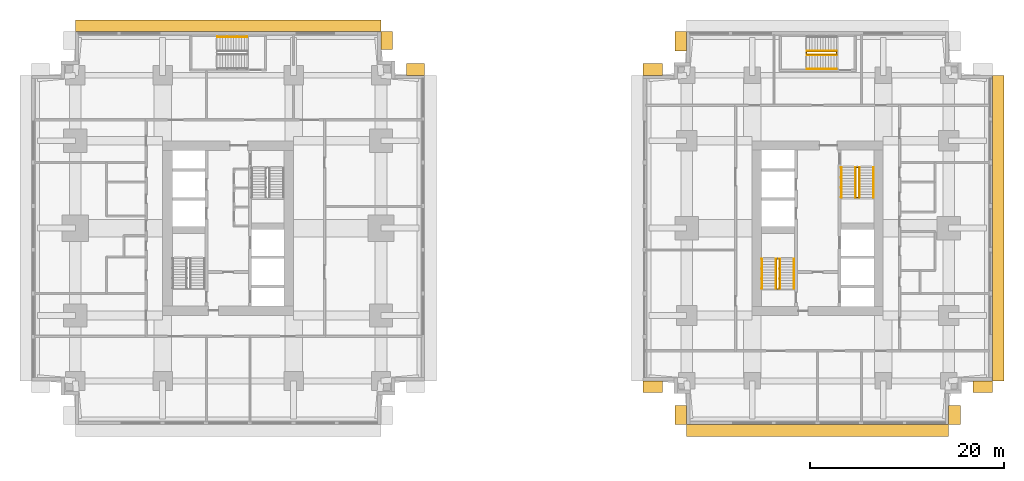
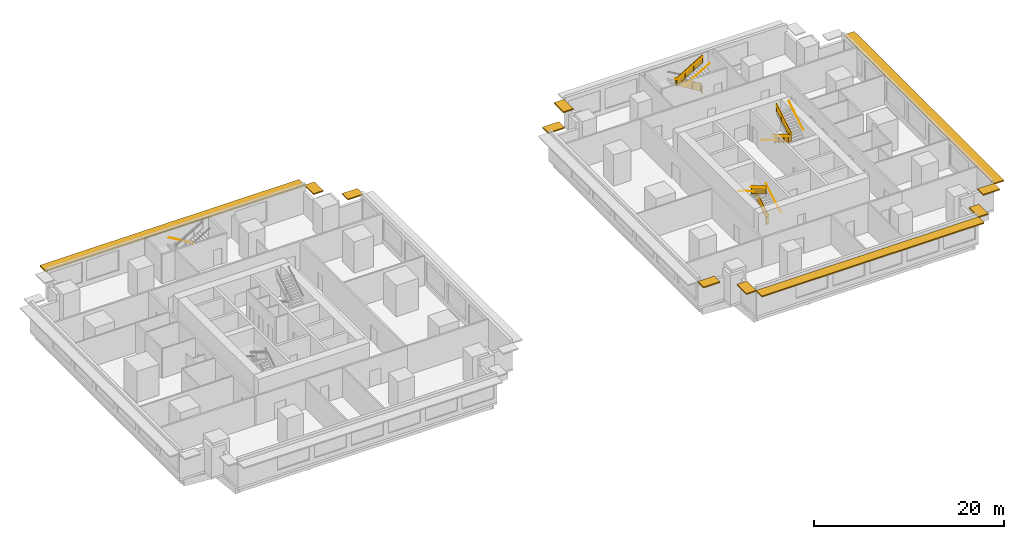
# One storey, part 10 of 11: 15 railings, 11 shading devices.
"""IFC4 building model written with IfcOpenShell, lengths in metres."""

import ifcopenshell
import ifcopenshell.guid

model = None  # the IFC model being written
_history = None  # IfcOwnerHistory: only IFC2X3 demands one
_inside = {}  # id of a spatial element -> (the spatial element, [elements in it])
_under = {}  # id of a project, library or spatial element -> (it, [spatial elements below it])
_declared = {}  # id of a project -> (the project, [libraries it declares])
_typed = {}  # id of a type object -> (the type object, [elements of that type])
_made_of = {}  # id of a material, layer set ... -> (it, [elements and type objects made of it])


def new_model(schema):
    """Start an empty IFC model of exactly this schema.

    Asked for "IFC4X3", IfcOpenShell would pick the latest addendum, in which some entities
    have other attributes; the version numbers below select the first issue.
    IFC2X3 requires an IfcOwnerHistory on every rooted entity: one is made here for all.
    """
    global model, _history
    if schema == "IFC4X3":
        model = ifcopenshell.file(schema_version=(4, 3, 0, 0))
    else:
        model = ifcopenshell.file(schema=schema)
    _inside.clear()
    _under.clear()
    _declared.clear()
    _typed.clear()
    _made_of.clear()
    _history = None
    if model.schema == "IFC2X3":
        org = make("IfcOrganization", Name="unknown")
        user = make(
            "IfcPersonAndOrganization",
            ThePerson=make("IfcPerson", FamilyName="unknown"),
            TheOrganization=org,
        )
        app = make(
            "IfcApplication",
            ApplicationDeveloper=org,
            Version="unknown",
            ApplicationFullName="unknown",
            ApplicationIdentifier="unknown",
        )
        _history = make(
            "IfcOwnerHistory",
            OwningUser=user,
            OwningApplication=app,
            ChangeAction="ADDED",
            CreationDate=0,
        )
    return model


def make(cls, **values):
    """One entity of the class cls with the attributes given. An attribute that is None is left unset."""
    return model.create_entity(
        cls, **{name: value for name, value in values.items() if value is not None}
    )


def rooted(cls, **values):
    """An entity with a GlobalId (a new one), such as an element, a storey or a relation."""
    return make(cls, GlobalId=ifcopenshell.guid.new(), OwnerHistory=_history, **values)


def si_unit(unit_type, name, prefix=None):
    """IfcSIUnit, for example si_unit("LENGTHUNIT", "METRE", prefix="MILLI")."""
    return make("IfcSIUnit", UnitType=unit_type, Prefix=prefix, Name=name)


def assignment(units):
    """IfcUnitAssignment: the units of a project."""
    return None if units is None else make("IfcUnitAssignment", Units=units)


def point(xyz):
    """IfcCartesianPoint."""
    return None if xyz is None else make("IfcCartesianPoint", Coordinates=xyz)


def direction(xyz):
    """IfcDirection."""
    return None if xyz is None else make("IfcDirection", DirectionRatios=xyz)


def frame(location, z_axis=None, x_axis=None):
    """IfcAxis2Placement3D, a coordinate frame: its origin and axes. An axis left out is left unset."""
    return make(
        "IfcAxis2Placement3D",
        Location=point(location),
        Axis=direction(z_axis),
        RefDirection=direction(x_axis),
    )


def frame_2d(location, x_axis=None):
    """IfcAxis2Placement2D, a coordinate frame in the plane: its origin and x axis."""
    return make(
        "IfcAxis2Placement2D", Location=point(location), RefDirection=direction(x_axis)
    )


def origin():
    """The frame at (0, 0, 0) with its axes left unset."""
    return frame((0.0, 0.0, 0.0))


def origin_2d():
    """The frame at (0, 0) in the plane with its x axis left unset."""
    return frame_2d((0.0, 0.0))


def place(relative_to, where):
    """IfcLocalPlacement: puts the frame where relative to a parent placement (None: the world)."""
    return make(
        "IfcLocalPlacement", PlacementRelTo=relative_to, RelativePlacement=where
    )


def context(
    kind, dimensions, precision=None, world=None, true_north=None, identifier=None
):
    """IfcGeometricRepresentationContext, for example the 3D "Model" context."""
    return make(
        "IfcGeometricRepresentationContext",
        ContextIdentifier=identifier,
        ContextType=kind,
        CoordinateSpaceDimension=dimensions,
        Precision=precision,
        WorldCoordinateSystem=world,
        TrueNorth=true_north,
    )


def subcontext(parent, identifier, kind, view, scale=None):
    """IfcGeometricRepresentationSubContext, for example "Body" below "Model"."""
    return make(
        "IfcGeometricRepresentationSubContext",
        ContextIdentifier=identifier,
        ContextType=kind,
        ParentContext=parent,
        TargetScale=scale,
        TargetView=view,
    )


def project(units=None, contexts=None):
    """IfcProject with its units and contexts."""
    return rooted(
        "IfcProject",
        Name="project",
        RepresentationContexts=contexts,
        UnitsInContext=assignment(units),
    )


def spatial(cls, under=None, at=None, **own):
    """A site, building, storey or space (cls), placed at a placement, below another one or the project."""
    s = rooted(cls, ObjectPlacement=at, **own)
    if under is not None:
        _under.setdefault(under.id(), (under, []))[1].append(s)
    return s


def polyline(points):
    """IfcPolyline through the points."""
    return make("IfcPolyline", Points=[point(p) for p in points])


def profile(cls, at=None, kind="AREA", **sizes):
    """A parametric profile (cls). Its sizes go by their IFC names, for example OverallWidth=200.0."""
    return make(cls, ProfileType=kind, Position=at, **sizes)


def rectangle(**sizes):
    """IfcRectangleProfileDef."""
    return profile("IfcRectangleProfileDef", **sizes)


def circle(**sizes):
    """IfcCircleProfileDef."""
    return profile("IfcCircleProfileDef", **sizes)


def outline(outer, holes=None, kind="AREA"):
    """IfcArbitraryClosedProfileDef: a profile drawn as a closed curve; with holes, ...WithVoids."""
    if holes is None:
        return make("IfcArbitraryClosedProfileDef", ProfileType=kind, OuterCurve=outer)
    return make(
        "IfcArbitraryProfileDefWithVoids",
        ProfileType=kind,
        OuterCurve=outer,
        InnerCurves=holes,
    )


def extrude(swept, where, along, depth):
    """IfcExtrudedAreaSolid: the profile swept, set in the frame where, extruded along a direction by depth."""
    return make(
        "IfcExtrudedAreaSolid",
        SweptArea=swept,
        Position=where,
        ExtrudedDirection=direction(along),
        Depth=depth,
    )


def shape(context_of_items, identifier, shape_type, items):
    """IfcShapeRepresentation: the items that make up one representation, for example the "Body"."""
    return make(
        "IfcShapeRepresentation",
        ContextOfItems=context_of_items,
        RepresentationIdentifier=identifier,
        RepresentationType=shape_type,
        Items=items,
    )


def material(Name=None, Category=None):
    """IfcMaterial."""
    return make("IfcMaterial", Name=Name, Category=Category)


def layer(
    of_material, thickness, ventilated=None, Name=None, Category=None, Priority=None
):
    """IfcMaterialLayer: one layer of a wall or slab, of a material (None: an air gap)."""
    return make(
        "IfcMaterialLayer",
        Material=of_material,
        LayerThickness=thickness,
        IsVentilated=ventilated,
        Name=Name,
        Category=Category,
        Priority=Priority,
    )


def layer_set(layers, Name=None):
    """IfcMaterialLayerSet."""
    return make("IfcMaterialLayerSet", MaterialLayers=layers, LayerSetName=Name)


def made_of(thing, what):
    """Note that an element or type object is made of a material, layer set ...; save() writes the relation."""
    if what is not None:
        _made_of.setdefault(what.id(), (what, []))[1].append(thing)
    return thing


def type_object(cls, material=None, **own):
    """A type object (cls), such as IfcWallType, which elements share."""
    return made_of(rooted(cls, **own), material)


def element(
    cls,
    number,
    at=None,
    inside=None,
    cuts=None,
    type_object=None,
    material=None,
    context=None,
    identifier="Body",
    shape_type=None,
    held_by="IfcProductDefinitionShape",
    body=None,
    shapes=None,
    **own,
):
    """One element of the class cls, such as IfcWall. Its Tag is "e" and its number.

    at: its placement. inside: the storey or other place that contains it. cuts: it is an
    opening in that element (IfcRelVoidsElement). A single representation is given by context,
    identifier, shape_type and body (its items); several are given by shapes. held_by: the class
    of the entity that holds the representations. save() writes the other relations.
    """
    e = rooted(cls, Tag="e%d" % number, ObjectPlacement=at, **own)
    if body is not None:
        shapes = [shape(context, identifier, shape_type, body)]
    if shapes is not None:
        e.Representation = make(held_by, Representations=shapes)
    if inside is not None:
        _inside.setdefault(inside.id(), (inside, []))[1].append(e)
    if cuts is not None:
        rooted(
            "IfcRelVoidsElement", RelatingBuildingElement=cuts, RelatedOpeningElement=e
        )
    if type_object is not None:
        _typed.setdefault(type_object.id(), (type_object, []))[1].append(e)
    return made_of(e, material)


def aggregate(whole, parts):
    """IfcRelAggregates: a whole, such as a stair, and the parts it consists of."""
    return rooted("IfcRelAggregates", RelatingObject=whole, RelatedObjects=parts)


def save(model, path):
    """Write the relations noted so far, then the file.

    IfcRelAggregates (storeys below a building ...), IfcRelContainedInSpatialStructure (elements
    in a storey), IfcRelDefinesByType, IfcRelAssociatesMaterial and IfcRelDeclares: one each for
    every whole, place, type object, material and project.
    """
    for whole, parts in _under.values():
        aggregate(whole, parts)
    for where, things in _inside.values():
        rooted(
            "IfcRelContainedInSpatialStructure",
            RelatedElements=things,
            RelatingStructure=where,
        )
    for kind, things in _typed.values():
        rooted("IfcRelDefinesByType", RelatedObjects=things, RelatingType=kind)
    for what, things in _made_of.values():
        rooted("IfcRelAssociatesMaterial", RelatedObjects=things, RelatingMaterial=what)
    for by, libraries in _declared.values():
        rooted("IfcRelDeclares", RelatingContext=by, RelatedDefinitions=libraries)
    model.write(path)


model = new_model("IFC4")

# Units and contexts
model_context = context("Model", 3, precision=1e-05, world=origin(), true_north=direction((0.0, 1.0)))
body_context = subcontext(model_context, "Body", "Model", "MODEL_VIEW")
ifc_project = project(units=[si_unit("LENGTHUNIT", "METRE"), si_unit("AREAUNIT", "SQUARE_METRE"), si_unit("VOLUMEUNIT", "CUBIC_METRE"), si_unit("PLANEANGLEUNIT", "RADIAN"), si_unit("MASSUNIT", "GRAM", prefix="KILO")], contexts=[model_context])

# Site, building, storey
site_placement = place(None, origin())
site = spatial("IfcSite", under=ifc_project, at=site_placement, CompositionType="ELEMENT")
building_placement = place(site_placement, origin())
building = spatial("IfcBuilding", under=site, at=building_placement, Name="Namib Vertical Campus", CompositionType="ELEMENT")
storey_placement = place(building_placement, frame((0.0, 0.0, 65.0)))
storey = spatial("IfcBuildingStorey", under=building, at=storey_placement, Name="L15", CompositionType="ELEMENT", Elevation=65.0)

# Railings
ifc_material_1 = material(Name="Steel handrail", Category="steel")
railing_type_1 = type_object("IfcRailingType", Name="Handrail 900", PredefinedType="HANDRAIL", material=ifc_material_1)
railing_1_placement = place(storey_placement, frame((78.550048828125, 14.0, 0.166748046875)))
element("IfcRailing", 1, at=railing_1_placement, inside=storey, type_object=railing_type_1, Name="Handrail HR1 B-S1 L15 1", PredefinedType="HANDRAIL", context=body_context, shape_type="SweptSolid", body=[
    extrude(circle(Radius=0.02392578125, at=origin_2d()), frame((0.0, 0.0, 0.8759765625), z_axis=(0.0, 0.859308565015, 0.511457515432), x_axis=(-1.0, 0.0, 0.0)), (0.0, 0.0, 1.0), 3.58447265625),
    extrude(circle(Radius=0.008056640625, at=origin_2d()), frame((0.0, 0.0, 0.8759765625), z_axis=(1.0, 0.0, 0.0), x_axis=(0.0, 0.0, 1.0)), (0.0, 0.0, 1.0), 0.050048828125),
    extrude(circle(Radius=0.008056640625, at=origin_2d()), frame((0.0, 1.026611328125, 1.48681640625), z_axis=(1.0, 0.0, 0.0), x_axis=(0.0, 0.0, 1.0)), (0.0, 0.0, 1.0), 0.050048828125),
    extrude(circle(Radius=0.008056640625, at=origin_2d()), frame((0.0, 2.053466796875, 2.09814453125), z_axis=(1.0, 0.0, 0.0), x_axis=(0.0, 0.0, 1.0)), (0.0, 0.0, 1.0), 0.050048828125),
    extrude(circle(Radius=0.008056640625, at=origin_2d()), frame((0.0, 3.080078125, 2.708984375), z_axis=(1.0, 0.0, 0.0), x_axis=(0.0, 0.0, 1.0)), (0.0, 0.0, 1.0), 0.050048828125),
])
railing_2_placement = place(storey_placement, frame((75.25, 17.080078125, 2.166748046875)))
element("IfcRailing", 2, at=railing_2_placement, inside=storey, type_object=railing_type_1, Name="Handrail HR1 B-S1 L15 2", PredefinedType="HANDRAIL", context=body_context, shape_type="SweptSolid", body=[
    extrude(circle(Radius=0.02392578125, at=origin_2d()), frame((0.0, 0.0, 0.8759765625), z_axis=(0.0, -0.859308565015, 0.511457515432), x_axis=(1.0, 0.0, 0.0)), (0.0, 0.0, 1.0), 3.58447265625),
    extrude(circle(Radius=0.008056640625, at=origin_2d()), frame((0.0, 0.0, 0.8759765625), z_axis=(-1.0, 0.0, 0.0), x_axis=(0.0, 0.0, 1.0)), (0.0, 0.0, 1.0), 0.050048828125),
    extrude(circle(Radius=0.008056640625, at=origin_2d()), frame((0.0, -1.026611328125, 1.48681640625), z_axis=(-1.0, 0.0, 0.0), x_axis=(0.0, 0.0, 1.0)), (0.0, 0.0, 1.0), 0.050048828125),
    extrude(circle(Radius=0.008056640625, at=origin_2d()), frame((0.0, -2.053466796875, 2.09814453125), z_axis=(-1.0, 0.0, 0.0), x_axis=(0.0, 0.0, 1.0)), (0.0, 0.0, 1.0), 0.050048828125),
    extrude(circle(Radius=0.008056640625, at=origin_2d()), frame((0.0, -3.080078125, 2.708984375), z_axis=(-1.0, 0.0, 0.0), x_axis=(0.0, 0.0, 1.0)), (0.0, 0.0, 1.0), 0.050048828125),
])
railing_3_placement = place(storey_placement, frame((77.10009765625, 14.0, 0.166748046875)))
element("IfcRailing", 3, at=railing_3_placement, inside=storey, type_object=railing_type_1, Name="Handrail HR1 B-S1 L15 1 at the well", PredefinedType="HANDRAIL", context=body_context, shape_type="SweptSolid", body=[
    extrude(circle(Radius=0.02392578125, at=origin_2d()), frame((0.0, 0.0, 0.8759765625), z_axis=(0.0, 0.859308565015, 0.511457515432), x_axis=(-1.0, 0.0, 0.0)), (0.0, 0.0, 1.0), 3.58447265625),
    extrude(circle(Radius=0.008056640625, at=origin_2d()), frame((0.0, 0.0, 0.8759765625), z_axis=(-1.0, 0.0, 0.0), x_axis=(0.0, 0.0, 1.0)), (0.0, 0.0, 1.0), 0.0400390625),
    extrude(circle(Radius=0.008056640625, at=origin_2d()), frame((0.0, 1.026611328125, 1.48681640625), z_axis=(-1.0, 0.0, 0.0), x_axis=(0.0, 0.0, 1.0)), (0.0, 0.0, 1.0), 0.0400390625),
    extrude(circle(Radius=0.008056640625, at=origin_2d()), frame((0.0, 2.053466796875, 2.09814453125), z_axis=(-1.0, 0.0, 0.0), x_axis=(0.0, 0.0, 1.0)), (0.0, 0.0, 1.0), 0.0400390625),
    extrude(circle(Radius=0.008056640625, at=origin_2d()), frame((0.0, 3.080078125, 2.708984375), z_axis=(-1.0, 0.0, 0.0), x_axis=(0.0, 0.0, 1.0)), (0.0, 0.0, 1.0), 0.0400390625),
])
railing_4_placement = place(storey_placement, frame((76.699951171875, 17.080078125, 2.166748046875)))
element("IfcRailing", 4, at=railing_4_placement, inside=storey, type_object=railing_type_1, Name="Handrail HR1 B-S1 L15 2 at the well", PredefinedType="HANDRAIL", context=body_context, shape_type="SweptSolid", body=[
    extrude(circle(Radius=0.02392578125, at=origin_2d()), frame((0.0, 0.0, 0.8759765625), z_axis=(0.0, -0.859308565015, 0.511457515432), x_axis=(1.0, 0.0, 0.0)), (0.0, 0.0, 1.0), 3.58447265625),
    extrude(circle(Radius=0.008056640625, at=origin_2d()), frame((0.0, 0.0, 0.8759765625), z_axis=(1.0, 0.0, 0.0), x_axis=(0.0, 0.0, 1.0)), (0.0, 0.0, 1.0), 0.0400390625),
    extrude(circle(Radius=0.008056640625, at=origin_2d()), frame((0.0, -1.026611328125, 1.48681640625), z_axis=(1.0, 0.0, 0.0), x_axis=(0.0, 0.0, 1.0)), (0.0, 0.0, 1.0), 0.0400390625),
    extrude(circle(Radius=0.008056640625, at=origin_2d()), frame((0.0, -2.053466796875, 2.09814453125), z_axis=(1.0, 0.0, 0.0), x_axis=(0.0, 0.0, 1.0)), (0.0, 0.0, 1.0), 0.0400390625),
    extrude(circle(Radius=0.008056640625, at=origin_2d()), frame((0.0, -3.080078125, 2.708984375), z_axis=(1.0, 0.0, 0.0), x_axis=(0.0, 0.0, 1.0)), (0.0, 0.0, 1.0), 0.0400390625),
])
railing_5_placement = place(storey_placement, frame((83.449951171875, 26.5, 0.166748046875)))
element("IfcRailing", 5, at=railing_5_placement, inside=storey, type_object=railing_type_1, Name="Handrail HR1 B-S2 L15 1", PredefinedType="HANDRAIL", context=body_context, shape_type="SweptSolid", body=[
    extrude(circle(Radius=0.02392578125, at=origin_2d()), frame((0.0, 0.0, 0.8759765625), z_axis=(0.0, -0.859308565015, 0.511457515432), x_axis=(1.0, 0.0, 0.0)), (0.0, 0.0, 1.0), 3.58447265625),
    extrude(circle(Radius=0.008056640625, at=origin_2d()), frame((0.0, 0.0, 0.8759765625), z_axis=(-1.0, 0.0, 0.0), x_axis=(0.0, 0.0, 1.0)), (0.0, 0.0, 1.0), 0.050048828125),
    extrude(circle(Radius=0.008056640625, at=origin_2d()), frame((0.0, -1.026611328125, 1.48681640625), z_axis=(-1.0, 0.0, 0.0), x_axis=(0.0, 0.0, 1.0)), (0.0, 0.0, 1.0), 0.050048828125),
    extrude(circle(Radius=0.008056640625, at=origin_2d()), frame((0.0, -2.053466796875, 2.09814453125), z_axis=(-1.0, 0.0, 0.0), x_axis=(0.0, 0.0, 1.0)), (0.0, 0.0, 1.0), 0.050048828125),
    extrude(circle(Radius=0.008056640625, at=origin_2d()), frame((0.0, -3.080078125, 2.708984375), z_axis=(-1.0, 0.0, 0.0), x_axis=(0.0, 0.0, 1.0)), (0.0, 0.0, 1.0), 0.050048828125),
])
railing_6_placement = place(storey_placement, frame((86.75, 23.419921875, 2.166748046875)))
element("IfcRailing", 6, at=railing_6_placement, inside=storey, type_object=railing_type_1, Name="Handrail HR1 B-S2 L15 2", PredefinedType="HANDRAIL", context=body_context, shape_type="SweptSolid", body=[
    extrude(circle(Radius=0.02392578125, at=origin_2d()), frame((0.0, 0.0, 0.8759765625), z_axis=(0.0, 0.859308565015, 0.511457515432), x_axis=(-1.0, 0.0, 0.0)), (0.0, 0.0, 1.0), 3.58447265625),
    extrude(circle(Radius=0.008056640625, at=origin_2d()), frame((0.0, 0.0, 0.8759765625), z_axis=(1.0, 0.0, 0.0), x_axis=(0.0, 0.0, 1.0)), (0.0, 0.0, 1.0), 0.050048828125),
    extrude(circle(Radius=0.008056640625, at=origin_2d()), frame((0.0, 1.026611328125, 1.48681640625), z_axis=(1.0, 0.0, 0.0), x_axis=(0.0, 0.0, 1.0)), (0.0, 0.0, 1.0), 0.050048828125),
    extrude(circle(Radius=0.008056640625, at=origin_2d()), frame((0.0, 2.053466796875, 2.09814453125), z_axis=(1.0, 0.0, 0.0), x_axis=(0.0, 0.0, 1.0)), (0.0, 0.0, 1.0), 0.050048828125),
    extrude(circle(Radius=0.008056640625, at=origin_2d()), frame((0.0, 3.080078125, 2.708984375), z_axis=(1.0, 0.0, 0.0), x_axis=(0.0, 0.0, 1.0)), (0.0, 0.0, 1.0), 0.050048828125),
])
railing_7_placement = place(storey_placement, frame((84.89990234375, 26.5, 0.166748046875)))
element("IfcRailing", 7, at=railing_7_placement, inside=storey, type_object=railing_type_1, Name="Handrail HR1 B-S2 L15 1 at the well", PredefinedType="HANDRAIL", context=body_context, shape_type="SweptSolid", body=[
    extrude(circle(Radius=0.02392578125, at=origin_2d()), frame((0.0, 0.0, 0.8759765625), z_axis=(0.0, -0.859308565015, 0.511457515432), x_axis=(1.0, 0.0, 0.0)), (0.0, 0.0, 1.0), 3.58447265625),
    extrude(circle(Radius=0.008056640625, at=origin_2d()), frame((0.0, 0.0, 0.8759765625), z_axis=(1.0, 0.0, 0.0), x_axis=(0.0, 0.0, 1.0)), (0.0, 0.0, 1.0), 0.0400390625),
    extrude(circle(Radius=0.008056640625, at=origin_2d()), frame((0.0, -1.026611328125, 1.48681640625), z_axis=(1.0, 0.0, 0.0), x_axis=(0.0, 0.0, 1.0)), (0.0, 0.0, 1.0), 0.0400390625),
    extrude(circle(Radius=0.008056640625, at=origin_2d()), frame((0.0, -2.053466796875, 2.09814453125), z_axis=(1.0, 0.0, 0.0), x_axis=(0.0, 0.0, 1.0)), (0.0, 0.0, 1.0), 0.0400390625),
    extrude(circle(Radius=0.008056640625, at=origin_2d()), frame((0.0, -3.080078125, 2.708984375), z_axis=(1.0, 0.0, 0.0), x_axis=(0.0, 0.0, 1.0)), (0.0, 0.0, 1.0), 0.0400390625),
])
railing_8_placement = place(storey_placement, frame((85.300048828125, 23.419921875, 2.166748046875)))
element("IfcRailing", 8, at=railing_8_placement, inside=storey, type_object=railing_type_1, Name="Handrail HR1 B-S2 L15 2 at the well", PredefinedType="HANDRAIL", context=body_context, shape_type="SweptSolid", body=[
    extrude(circle(Radius=0.02392578125, at=origin_2d()), frame((0.0, 0.0, 0.8759765625), z_axis=(0.0, 0.859308565015, 0.511457515432), x_axis=(-1.0, 0.0, 0.0)), (0.0, 0.0, 1.0), 3.58447265625),
    extrude(circle(Radius=0.008056640625, at=origin_2d()), frame((0.0, 0.0, 0.8759765625), z_axis=(-1.0, 0.0, 0.0), x_axis=(0.0, 0.0, 1.0)), (0.0, 0.0, 1.0), 0.0400390625),
    extrude(circle(Radius=0.008056640625, at=origin_2d()), frame((0.0, 1.026611328125, 1.48681640625), z_axis=(-1.0, 0.0, 0.0), x_axis=(0.0, 0.0, 1.0)), (0.0, 0.0, 1.0), 0.0400390625),
    extrude(circle(Radius=0.008056640625, at=origin_2d()), frame((0.0, 2.053466796875, 2.09814453125), z_axis=(-1.0, 0.0, 0.0), x_axis=(0.0, 0.0, 1.0)), (0.0, 0.0, 1.0), 0.0400390625),
    extrude(circle(Radius=0.008056640625, at=origin_2d()), frame((0.0, 3.080078125, 2.708984375), z_axis=(-1.0, 0.0, 0.0), x_axis=(0.0, 0.0, 1.0)), (0.0, 0.0, 1.0), 0.0400390625),
])
railing_9_placement = place(storey_placement, frame((22.199951171875, 39.949951171875, 0.166748046875)))
element("IfcRailing", 9, at=railing_9_placement, inside=storey, type_object=railing_type_1, Name="Handrail HR1 A-S3 L15 1", PredefinedType="HANDRAIL", context=body_context, shape_type="SweptSolid", body=[
    extrude(circle(Radius=0.02392578125, at=origin_2d()), frame((0.0, 0.0, 0.8759765625), z_axis=(-0.859290745958, 0.0, 0.51148745235), x_axis=(0.0, -1.0, 0.0)), (0.0, 0.0, 1.0), 3.584228515625),
    extrude(circle(Radius=0.008056640625, at=origin_2d()), frame((0.0, 0.0, 0.8759765625), z_axis=(0.0, 1.0, 0.0), x_axis=(0.0, 0.0, 1.0)), (0.0, 0.0, 1.0), 0.050048828125),
    extrude(circle(Radius=0.008056640625, at=origin_2d()), frame((-1.026611328125, 0.0, 1.48681640625), z_axis=(0.0, 1.0, 0.0), x_axis=(0.0, 0.0, 1.0)), (0.0, 0.0, 1.0), 0.050048828125),
    extrude(circle(Radius=0.008056640625, at=origin_2d()), frame((-2.05322265625, 0.0, 2.09814453125), z_axis=(0.0, 1.0, 0.0), x_axis=(0.0, 0.0, 1.0)), (0.0, 0.0, 1.0), 0.050048828125),
    extrude(circle(Radius=0.008056640625, at=origin_2d()), frame((-3.079833984375, 0.0, 2.708984375), z_axis=(0.0, 1.0, 0.0), x_axis=(0.0, 0.0, 1.0)), (0.0, 0.0, 1.0), 0.050048828125),
])
railing_10_placement = place(storey_placement, frame((79.8701171875, 36.64990234375, 2.166748046875)))
element("IfcRailing", 10, at=railing_10_placement, inside=storey, type_object=railing_type_1, Name="Handrail HR1 B-S3 L15 2", PredefinedType="HANDRAIL", context=body_context, shape_type="SweptSolid", body=[
    extrude(circle(Radius=0.02392578125, at=origin_2d()), frame((0.0, 0.0, 0.8759765625), z_axis=(0.859290745958, 0.0, 0.51148745235), x_axis=(0.0, 1.0, 0.0)), (0.0, 0.0, 1.0), 3.584228515625),
    extrude(circle(Radius=0.008056640625, at=origin_2d()), frame((0.0, 0.0, 0.8759765625), z_axis=(0.0, -1.0, 0.0), x_axis=(0.0, 0.0, 1.0)), (0.0, 0.0, 1.0), 0.050048828125),
    extrude(circle(Radius=0.008056640625, at=origin_2d()), frame((1.026611328125, 0.0, 1.48681640625), z_axis=(0.0, -1.0, 0.0), x_axis=(0.0, 0.0, 1.0)), (0.0, 0.0, 1.0), 0.050048828125),
    extrude(circle(Radius=0.008056640625, at=origin_2d()), frame((2.05322265625, 0.0, 2.09814453125), z_axis=(0.0, -1.0, 0.0), x_axis=(0.0, 0.0, 1.0)), (0.0, 0.0, 1.0), 0.050048828125),
    extrude(circle(Radius=0.008056640625, at=origin_2d()), frame((3.079833984375, 0.0, 2.708984375), z_axis=(0.0, -1.0, 0.0), x_axis=(0.0, 0.0, 1.0)), (0.0, 0.0, 1.0), 0.050048828125),
])
railing_11_placement = place(storey_placement, frame((82.949951171875, 38.5, 0.166748046875)))
element("IfcRailing", 11, at=railing_11_placement, inside=storey, type_object=railing_type_1, Name="Handrail HR1 B-S3 L15 1 at the well", PredefinedType="HANDRAIL", context=body_context, shape_type="SweptSolid", body=[
    extrude(circle(Radius=0.02392578125, at=origin_2d()), frame((0.0, 0.0, 0.8759765625), z_axis=(-0.859290745958, 0.0, 0.51148745235), x_axis=(0.0, -1.0, 0.0)), (0.0, 0.0, 1.0), 3.584228515625),
    extrude(circle(Radius=0.008056640625, at=origin_2d()), frame((0.0, 0.0, 0.8759765625), z_axis=(0.0, -1.0, 0.0), x_axis=(0.0, 0.0, 1.0)), (0.0, 0.0, 1.0), 0.0400390625),
    extrude(circle(Radius=0.008056640625, at=origin_2d()), frame((-1.026611328125, 0.0, 1.48681640625), z_axis=(0.0, -1.0, 0.0), x_axis=(0.0, 0.0, 1.0)), (0.0, 0.0, 1.0), 0.0400390625),
    extrude(circle(Radius=0.008056640625, at=origin_2d()), frame((-2.05322265625, 0.0, 2.09814453125), z_axis=(0.0, -1.0, 0.0), x_axis=(0.0, 0.0, 1.0)), (0.0, 0.0, 1.0), 0.0400390625),
    extrude(circle(Radius=0.008056640625, at=origin_2d()), frame((-3.079833984375, 0.0, 2.708984375), z_axis=(0.0, -1.0, 0.0), x_axis=(0.0, 0.0, 1.0)), (0.0, 0.0, 1.0), 0.0400390625),
])
railing_12_placement = place(storey_placement, frame((79.8701171875, 38.10009765625, 2.166748046875)))
element("IfcRailing", 12, at=railing_12_placement, inside=storey, type_object=railing_type_1, Name="Handrail HR1 B-S3 L15 2 at the well", PredefinedType="HANDRAIL", context=body_context, shape_type="SweptSolid", body=[
    extrude(circle(Radius=0.02392578125, at=origin_2d()), frame((0.0, 0.0, 0.8759765625), z_axis=(0.859290745958, 0.0, 0.51148745235), x_axis=(0.0, 1.0, 0.0)), (0.0, 0.0, 1.0), 3.584228515625),
    extrude(circle(Radius=0.008056640625, at=origin_2d()), frame((0.0, 0.0, 0.8759765625), z_axis=(0.0, 1.0, 0.0), x_axis=(0.0, 0.0, 1.0)), (0.0, 0.0, 1.0), 0.0400390625),
    extrude(circle(Radius=0.008056640625, at=origin_2d()), frame((1.026611328125, 0.0, 1.48681640625), z_axis=(0.0, 1.0, 0.0), x_axis=(0.0, 0.0, 1.0)), (0.0, 0.0, 1.0), 0.0400390625),
    extrude(circle(Radius=0.008056640625, at=origin_2d()), frame((2.05322265625, 0.0, 2.09814453125), z_axis=(0.0, 1.0, 0.0), x_axis=(0.0, 0.0, 1.0)), (0.0, 0.0, 1.0), 0.0400390625),
    extrude(circle(Radius=0.008056640625, at=origin_2d()), frame((3.079833984375, 0.0, 2.708984375), z_axis=(0.0, 1.0, 0.0), x_axis=(0.0, 0.0, 1.0)), (0.0, 0.0, 1.0), 0.0400390625),
])
ifc_material_2 = material(Name="Steel balustrade", Category="steel")
railing_type_2 = type_object("IfcRailingType", Name="Stair guard 1100", PredefinedType="GUARDRAIL", material=ifc_material_2)
railing_13_placement = place(storey_placement, frame((76.75, 14.0, 0.0)))
element("IfcRailing", 13, at=railing_13_placement, inside=storey, type_object=railing_type_2, Name="Stair guard GR1 B-S1 L15", PredefinedType="GUARDRAIL", context=body_context, shape_type="SweptSolid", body=[
    extrude(circle(Radius=0.02392578125, at=origin_2d()), frame((0.0, 0.0, 1.076171875), z_axis=(1.0, 0.0, 0.0), x_axis=(0.0, 1.0, 0.0)), (0.0, 0.0, 1.0), 0.300048828125),
    extrude(outline(polyline([(0.02099609375, 0.050048828125), (0.279052734375, 0.050048828125), (0.279052734375, 1.052001953125), (0.02099609375, 1.052001953125), (0.02099609375, 0.050048828125)])), frame((0.0, 0.010009765625, 0.0), z_axis=(0.0, -1.0, 0.0), x_axis=(1.0, 0.0, 0.0)), (0.0, 0.0, 1.0), 0.02001953125),
    extrude(circle(Radius=0.02392578125, at=origin_2d()), frame((0.300048828125, 0.0, 1.076171875), z_axis=(0.0, 0.0, 1.0), x_axis=(1.0, 0.0, 0.0)), (0.0, 0.0, 1.0), 0.166748046875),
    extrude(circle(Radius=0.02392578125, at=origin_2d()), frame((0.300048828125, 0.0, 1.24267578125), z_axis=(0.0, 0.859308565015, 0.511457515432), x_axis=(-1.0, 0.0, 0.0)), (0.0, 0.0, 1.0), 3.58447265625),
    extrude(outline(polyline([(0.02099609375, 0.0625), (3.05908203125, 1.870849609375), (3.05908203125, 2.872802734375), (0.02099609375, 1.064453125), (0.02099609375, 0.0625)])), frame((0.2900390625, 0.0, 0.166748046875), z_axis=(1.0, 0.0, 0.0), x_axis=(0.0, 1.0, 0.0)), (0.0, 0.0, 1.0), 0.02001953125),
    extrude(circle(Radius=0.02392578125, at=origin_2d()), frame((0.300048828125, 3.080078125, 3.076171875), z_axis=(-1.0, 0.0, 0.0), x_axis=(0.0, -1.0, 0.0)), (0.0, 0.0, 1.0), 0.300048828125),
    extrude(outline(polyline([(0.02099609375, 0.050048828125), (0.279052734375, 0.050048828125), (0.279052734375, 1.052001953125), (0.02099609375, 1.052001953125), (0.02099609375, 0.050048828125)])), frame((0.300048828125, 3.070068359375, 2.0), z_axis=(0.0, 1.0, 0.0), x_axis=(-1.0, 0.0, 0.0)), (0.0, 0.0, 1.0), 0.02001953125),
    extrude(circle(Radius=0.02392578125, at=origin_2d()), frame((0.0, 3.080078125, 3.076171875), z_axis=(0.0, 0.0, 1.0), x_axis=(1.0, 0.0, 0.0)), (0.0, 0.0, 1.0), 0.166748046875),
    extrude(circle(Radius=0.02392578125, at=origin_2d()), frame((0.0, 3.080078125, 3.24267578125), z_axis=(0.0, -0.859308565015, 0.511457515432), x_axis=(1.0, 0.0, 0.0)), (0.0, 0.0, 1.0), 3.58447265625),
    extrude(outline(polyline([(0.02099609375, 0.0625), (3.05908203125, 1.870849609375), (3.05908203125, 2.872802734375), (0.02099609375, 1.064453125), (0.02099609375, 0.0625)])), frame((0.010009765625, 3.080078125, 2.166748046875), z_axis=(-1.0, 0.0, 0.0), x_axis=(0.0, -1.0, 0.0)), (0.0, 0.0, 1.0), 0.02001953125),
    extrude(circle(Radius=0.02392578125, at=origin_2d()), frame((0.0, 0.0, 5.076171875), z_axis=(0.0, -1.0, 0.0), x_axis=(1.0, 0.0, 0.0)), (0.0, 0.0, 1.0), 0.050048828125),
    extrude(outline(polyline([(0.02099609375, 0.050048828125), (0.029052734375, 0.050048828125), (0.029052734375, 1.052001953125), (0.02099609375, 1.052001953125), (0.02099609375, 0.050048828125)])), frame((0.010009765625, 0.0, 4.0), z_axis=(-1.0, 0.0, 0.0), x_axis=(0.0, -1.0, 0.0)), (0.0, 0.0, 1.0), 0.02001953125),
    extrude(circle(Radius=0.02099609375, at=origin_2d()), origin(), (0.0, 0.0, 1.0), 1.052001953125),
    extrude(circle(Radius=0.02099609375, at=origin_2d()), frame((0.300048828125, 0.0, 0.166748046875)), (0.0, 0.0, 1.0), 1.052001953125),
    extrude(circle(Radius=0.02099609375, at=origin_2d()), frame((0.300048828125, 1.026611328125, 0.666748046875)), (0.0, 0.0, 1.0), 1.1630859375),
    extrude(circle(Radius=0.02099609375, at=origin_2d()), frame((0.300048828125, 2.053466796875, 1.33349609375)), (0.0, 0.0, 1.0), 1.107421875),
    extrude(circle(Radius=0.02099609375, at=origin_2d()), frame((0.300048828125, 3.080078125, 2.0)), (0.0, 0.0, 1.0), 1.052001953125),
    extrude(circle(Radius=0.02099609375, at=origin_2d()), frame((0.0, 3.080078125, 2.166748046875)), (0.0, 0.0, 1.0), 1.052001953125),
    extrude(circle(Radius=0.02099609375, at=origin_2d()), frame((0.0, 2.053466796875, 2.666748046875)), (0.0, 0.0, 1.0), 1.1630859375),
    extrude(circle(Radius=0.02099609375, at=origin_2d()), frame((0.0, 1.026611328125, 3.33349609375)), (0.0, 0.0, 1.0), 1.107421875),
    extrude(circle(Radius=0.02099609375, at=origin_2d()), frame((0.0, 0.0, 4.0)), (0.0, 0.0, 1.0), 1.052001953125),
    extrude(circle(Radius=0.02099609375, at=origin_2d()), frame((0.0, -0.050048828125, 4.0)), (0.0, 0.0, 1.0), 1.052001953125),
])
railing_14_placement = place(storey_placement, frame((85.25, 26.5, 0.0)))
element("IfcRailing", 14, at=railing_14_placement, inside=storey, type_object=railing_type_2, Name="Stair guard GR1 B-S2 L15", PredefinedType="GUARDRAIL", context=body_context, shape_type="SweptSolid", body=[
    extrude(circle(Radius=0.02392578125, at=origin_2d()), frame((0.0, 0.0, 1.076171875), z_axis=(-1.0, 0.0, 0.0), x_axis=(0.0, -1.0, 0.0)), (0.0, 0.0, 1.0), 0.300048828125),
    extrude(outline(polyline([(0.02099609375, 0.050048828125), (0.279052734375, 0.050048828125), (0.279052734375, 1.052001953125), (0.02099609375, 1.052001953125), (0.02099609375, 0.050048828125)])), frame((0.0, -0.010009765625, 0.0), z_axis=(0.0, 1.0, 0.0), x_axis=(-1.0, 0.0, 0.0)), (0.0, 0.0, 1.0), 0.02001953125),
    extrude(circle(Radius=0.02392578125, at=origin_2d()), frame((-0.300048828125, 0.0, 1.076171875), z_axis=(0.0, 0.0, 1.0), x_axis=(1.0, 0.0, 0.0)), (0.0, 0.0, 1.0), 0.166748046875),
    extrude(circle(Radius=0.02392578125, at=origin_2d()), frame((-0.300048828125, 0.0, 1.24267578125), z_axis=(0.0, -0.859308565015, 0.511457515432), x_axis=(1.0, 0.0, 0.0)), (0.0, 0.0, 1.0), 3.58447265625),
    extrude(outline(polyline([(0.02099609375, 0.0625), (3.05908203125, 1.870849609375), (3.05908203125, 2.872802734375), (0.02099609375, 1.064453125), (0.02099609375, 0.0625)])), frame((-0.2900390625, 0.0, 0.166748046875), z_axis=(-1.0, 0.0, 0.0), x_axis=(0.0, -1.0, 0.0)), (0.0, 0.0, 1.0), 0.02001953125),
    extrude(circle(Radius=0.02392578125, at=origin_2d()), frame((-0.300048828125, -3.080078125, 3.076171875), z_axis=(1.0, 0.0, 0.0), x_axis=(0.0, 1.0, 0.0)), (0.0, 0.0, 1.0), 0.300048828125),
    extrude(outline(polyline([(0.02099609375, 0.050048828125), (0.279052734375, 0.050048828125), (0.279052734375, 1.052001953125), (0.02099609375, 1.052001953125), (0.02099609375, 0.050048828125)])), frame((-0.300048828125, -3.070068359375, 2.0), z_axis=(0.0, -1.0, 0.0), x_axis=(1.0, 0.0, 0.0)), (0.0, 0.0, 1.0), 0.02001953125),
    extrude(circle(Radius=0.02392578125, at=origin_2d()), frame((0.0, -3.080078125, 3.076171875), z_axis=(0.0, 0.0, 1.0), x_axis=(1.0, 0.0, 0.0)), (0.0, 0.0, 1.0), 0.166748046875),
    extrude(circle(Radius=0.02392578125, at=origin_2d()), frame((0.0, -3.080078125, 3.24267578125), z_axis=(0.0, 0.859308565015, 0.511457515432), x_axis=(-1.0, 0.0, 0.0)), (0.0, 0.0, 1.0), 3.58447265625),
    extrude(outline(polyline([(0.02099609375, 0.0625), (3.05908203125, 1.870849609375), (3.05908203125, 2.872802734375), (0.02099609375, 1.064453125), (0.02099609375, 0.0625)])), frame((-0.010009765625, -3.080078125, 2.166748046875), z_axis=(1.0, 0.0, 0.0), x_axis=(0.0, 1.0, 0.0)), (0.0, 0.0, 1.0), 0.02001953125),
    extrude(circle(Radius=0.02392578125, at=origin_2d()), frame((0.0, 0.0, 5.076171875), z_axis=(0.0, 1.0, 0.0), x_axis=(-1.0, 0.0, 0.0)), (0.0, 0.0, 1.0), 0.050048828125),
    extrude(outline(polyline([(0.02099609375, 0.050048828125), (0.029052734375, 0.050048828125), (0.029052734375, 1.052001953125), (0.02099609375, 1.052001953125), (0.02099609375, 0.050048828125)])), frame((-0.010009765625, 0.0, 4.0), z_axis=(1.0, 0.0, 0.0), x_axis=(0.0, 1.0, 0.0)), (0.0, 0.0, 1.0), 0.02001953125),
    extrude(circle(Radius=0.02099609375, at=origin_2d()), origin(), (0.0, 0.0, 1.0), 1.052001953125),
    extrude(circle(Radius=0.02099609375, at=origin_2d()), frame((-0.300048828125, 0.0, 0.166748046875)), (0.0, 0.0, 1.0), 1.052001953125),
    extrude(circle(Radius=0.02099609375, at=origin_2d()), frame((-0.300048828125, -1.026611328125, 0.666748046875)), (0.0, 0.0, 1.0), 1.1630859375),
    extrude(circle(Radius=0.02099609375, at=origin_2d()), frame((-0.300048828125, -2.053466796875, 1.33349609375)), (0.0, 0.0, 1.0), 1.107421875),
    extrude(circle(Radius=0.02099609375, at=origin_2d()), frame((-0.300048828125, -3.080078125, 2.0)), (0.0, 0.0, 1.0), 1.052001953125),
    extrude(circle(Radius=0.02099609375, at=origin_2d()), frame((0.0, -3.080078125, 2.166748046875)), (0.0, 0.0, 1.0), 1.052001953125),
    extrude(circle(Radius=0.02099609375, at=origin_2d()), frame((0.0, -2.053466796875, 2.666748046875)), (0.0, 0.0, 1.0), 1.1630859375),
    extrude(circle(Radius=0.02099609375, at=origin_2d()), frame((0.0, -1.026611328125, 3.33349609375)), (0.0, 0.0, 1.0), 1.107421875),
    extrude(circle(Radius=0.02099609375, at=origin_2d()), frame((0.0, 0.0, 4.0)), (0.0, 0.0, 1.0), 1.052001953125),
    extrude(circle(Radius=0.02099609375, at=origin_2d()), frame((0.0, 0.050048828125, 4.0)), (0.0, 0.0, 1.0), 1.052001953125),
])
railing_15_placement = place(storey_placement, frame((82.949951171875, 38.14990234375, 0.0)))
element("IfcRailing", 15, at=railing_15_placement, inside=storey, type_object=railing_type_2, Name="Stair guard GR1 B-S3 L15", PredefinedType="GUARDRAIL", context=body_context, shape_type="SweptSolid", body=[
    extrude(circle(Radius=0.02392578125, at=origin_2d()), frame((0.0, 0.0, 1.076171875), z_axis=(0.0, 1.0, 0.0), x_axis=(-1.0, 0.0, 0.0)), (0.0, 0.0, 1.0), 0.300048828125),
    extrude(outline(polyline([(0.02099609375, 0.050048828125), (0.279052734375, 0.050048828125), (0.279052734375, 1.052001953125), (0.02099609375, 1.052001953125), (0.02099609375, 0.050048828125)])), frame((-0.010009765625, 0.0, 0.0), z_axis=(1.0, 0.0, 0.0), x_axis=(0.0, 1.0, 0.0)), (0.0, 0.0, 1.0), 0.02001953125),
    extrude(circle(Radius=0.02392578125, at=origin_2d()), frame((0.0, 0.300048828125, 1.076171875), z_axis=(0.0, 0.0, 1.0), x_axis=(1.0, 0.0, 0.0)), (0.0, 0.0, 1.0), 0.166748046875),
    extrude(circle(Radius=0.02392578125, at=origin_2d()), frame((0.0, 0.300048828125, 1.24267578125), z_axis=(-0.859290745958, 0.0, 0.51148745235), x_axis=(0.0, -1.0, 0.0)), (0.0, 0.0, 1.0), 3.584228515625),
    extrude(outline(polyline([(0.02099609375, 0.0625), (3.058837890625, 1.870849609375), (3.058837890625, 2.872802734375), (0.02099609375, 1.064453125), (0.02099609375, 0.0625)])), frame((0.0, 0.2900390625, 0.166748046875), z_axis=(0.0, 1.0, 0.0), x_axis=(-1.0, 0.0, 0.0)), (0.0, 0.0, 1.0), 0.02001953125),
    extrude(circle(Radius=0.02392578125, at=origin_2d()), frame((-3.079833984375, 0.300048828125, 3.076171875), z_axis=(0.0, -1.0, 0.0), x_axis=(1.0, 0.0, 0.0)), (0.0, 0.0, 1.0), 0.300048828125),
    extrude(outline(polyline([(0.02099609375, 0.050048828125), (0.279052734375, 0.050048828125), (0.279052734375, 1.052001953125), (0.02099609375, 1.052001953125), (0.02099609375, 0.050048828125)])), frame((-3.06982421875, 0.300048828125, 2.0), z_axis=(-1.0, 0.0, 0.0), x_axis=(0.0, -1.0, 0.0)), (0.0, 0.0, 1.0), 0.02001953125),
    extrude(circle(Radius=0.02392578125, at=origin_2d()), frame((-3.079833984375, 0.0, 3.076171875), z_axis=(0.0, 0.0, 1.0), x_axis=(1.0, 0.0, 0.0)), (0.0, 0.0, 1.0), 0.166748046875),
    extrude(circle(Radius=0.02392578125, at=origin_2d()), frame((-3.079833984375, 0.0, 3.24267578125), z_axis=(0.859290745958, 0.0, 0.51148745235), x_axis=(0.0, 1.0, 0.0)), (0.0, 0.0, 1.0), 3.584228515625),
    extrude(outline(polyline([(0.02099609375, 0.0625), (3.058837890625, 1.870849609375), (3.058837890625, 2.872802734375), (0.02099609375, 1.064453125), (0.02099609375, 0.0625)])), frame((-3.079833984375, 0.010009765625, 2.166748046875), z_axis=(0.0, -1.0, 0.0), x_axis=(1.0, 0.0, 0.0)), (0.0, 0.0, 1.0), 0.02001953125),
    extrude(circle(Radius=0.02392578125, at=origin_2d()), frame((0.0, 0.0, 5.076171875), z_axis=(1.0, 0.0, 0.0), x_axis=(0.0, 1.0, 0.0)), (0.0, 0.0, 1.0), 0.050048828125),
    extrude(outline(polyline([(0.02099609375, 0.050048828125), (0.029052734375, 0.050048828125), (0.029052734375, 1.052001953125), (0.02099609375, 1.052001953125), (0.02099609375, 0.050048828125)])), frame((0.0, 0.010009765625, 4.0), z_axis=(0.0, -1.0, 0.0), x_axis=(1.0, 0.0, 0.0)), (0.0, 0.0, 1.0), 0.02001953125),
    extrude(circle(Radius=0.02099609375, at=origin_2d()), origin(), (0.0, 0.0, 1.0), 1.052001953125),
    extrude(circle(Radius=0.02099609375, at=origin_2d()), frame((0.0, 0.300048828125, 0.166748046875)), (0.0, 0.0, 1.0), 1.052001953125),
    extrude(circle(Radius=0.02099609375, at=origin_2d()), frame((-1.026611328125, 0.300048828125, 0.666748046875)), (0.0, 0.0, 1.0), 1.1630859375),
    extrude(circle(Radius=0.02099609375, at=origin_2d()), frame((-2.05322265625, 0.300048828125, 1.33349609375)), (0.0, 0.0, 1.0), 1.107421875),
    extrude(circle(Radius=0.02099609375, at=origin_2d()), frame((-3.079833984375, 0.300048828125, 2.0)), (0.0, 0.0, 1.0), 1.052001953125),
    extrude(circle(Radius=0.02099609375, at=origin_2d()), frame((-3.079833984375, 0.0, 2.166748046875)), (0.0, 0.0, 1.0), 1.052001953125),
    extrude(circle(Radius=0.02099609375, at=origin_2d()), frame((-2.05322265625, 0.0, 2.666748046875)), (0.0, 0.0, 1.0), 1.1630859375),
    extrude(circle(Radius=0.02099609375, at=origin_2d()), frame((-1.026611328125, 0.0, 3.33349609375)), (0.0, 0.0, 1.0), 1.107421875),
    extrude(circle(Radius=0.02099609375, at=origin_2d()), frame((0.0, 0.0, 4.0)), (0.0, 0.0, 1.0), 1.052001953125),
    extrude(circle(Radius=0.02099609375, at=origin_2d()), frame((0.050048828125, 0.0, 4.0)), (0.0, 0.0, 1.0), 1.052001953125),
])

# Shading devices
ifc_material_3 = material(Name="Concrete C40/50 precast", Category="concrete")
ifc_layer = layer(ifc_material_3, 0.14990234375)
ifc_layer_set = layer_set([ifc_layer], Name="Concrete C40/50 precast")
shading_device_type = type_object("IfcShadingDeviceType", Name="Sunshade hood 1200", PredefinedType="SHUTTER", material=ifc_layer_set)
for number, where, z_axis, x_axis, name in (
    (16, (39.574951171875, 36.60009765625, 3.199951171875), (0.0, 0.0, 1.0), (-1.0, 0.0, 0.0), "Sunshade SH2 L15 7"),
    (17, (36.60009765625, 39.574951171875, 3.199951171875), (0.0, 0.0, 1.0), (0.0, 1.0, 0.0), "Sunshade SH2 L15 10"),
):
    element("IfcShadingDevice", number, at=place(storey_placement, frame(where, z_axis=z_axis, x_axis=x_axis)), inside=storey, type_object=shading_device_type, Name=name, PredefinedType="SHUTTER", context=body_context, shape_type="SweptSolid", body=[
        extrude(rectangle(XDim=1.85009765625, YDim=1.199951171875, at=origin_2d()), origin(), (0.0, 0.0, 1.0), 0.14990234375),
    ])
shading_device_1_placement = place(storey_placement, frame((20.25, 41.10009765625, 3.199951171875), z_axis=(0.0, 0.0, 1.0), x_axis=(-1.0, 0.0, 0.0)))
element("IfcShadingDevice", 18, at=shading_device_1_placement, inside=storey, type_object=shading_device_type, Name="Sunshade SH2 L15 11", PredefinedType="SHUTTER", context=body_context, shape_type="SweptSolid", body=[
    extrude(rectangle(XDim=31.5, YDim=1.199951171875, at=origin_2d()), origin(), (0.0, 0.0, 1.0), 0.14990234375),
])
shading_device_2_placement = place(storey_placement, frame((81.0, -0.60009765625, 3.199951171875), z_axis=(0.0, 0.0, 1.0), x_axis=(1.0, 0.0, 0.0)))
element("IfcShadingDevice", 19, at=shading_device_2_placement, inside=storey, type_object=shading_device_type, Name="Sunshade SH2 L15 1", PredefinedType="SHUTTER", context=body_context, shape_type="SweptSolid", body=[
    extrude(rectangle(XDim=27.0, YDim=1.199951171875, at=origin_2d()), origin(), (0.0, 0.0, 1.0), 0.14990234375),
])
for number, where, z_axis, x_axis, name in (
    (20, (95.10009765625, 1.0, 3.199951171875), (0.0, 0.0, 1.0), (0.0, 1.0, 0.0), "Sunshade SH2 L15 2"),
    (21, (98.0, 3.89990234375, 3.199951171875), (0.0, 0.0, 1.0), (1.0, 0.0, 0.0), "Sunshade SH2 L15 5"),
):
    element("IfcShadingDevice", number, at=place(storey_placement, frame(where, z_axis=z_axis, x_axis=x_axis)), inside=storey, type_object=shading_device_type, Name=name, PredefinedType="SHUTTER", context=body_context, shape_type="SweptSolid", body=[
        extrude(rectangle(XDim=2.0, YDim=1.199951171875, at=origin_2d()), origin(), (0.0, 0.0, 1.0), 0.14990234375),
    ])
shading_device_3_placement = place(storey_placement, frame((99.60009765625, 20.25, 3.199951171875), z_axis=(0.0, 0.0, 1.0), x_axis=(0.0, 1.0, 0.0)))
element("IfcShadingDevice", 22, at=shading_device_3_placement, inside=storey, type_object=shading_device_type, Name="Sunshade SH2 L15 6", PredefinedType="SHUTTER", context=body_context, shape_type="SweptSolid", body=[
    extrude(rectangle(XDim=31.5, YDim=1.199951171875, at=origin_2d()), origin(), (0.0, 0.0, 1.0), 0.14990234375),
])
for number, where, z_axis, x_axis, name in (
    (23, (66.89990234375, 39.5, 3.199951171875), (0.0, 0.0, 1.0), (0.0, -1.0, 0.0), "Sunshade SH2 L15 12"),
    (24, (64.0, 36.60009765625, 3.199951171875), (0.0, 0.0, 1.0), (-1.0, 0.0, 0.0), "Sunshade SH2 L15 15"),
    (25, (64.0, 3.89990234375, 3.199951171875), (0.0, 0.0, 1.0), (1.0, 0.0, 0.0), "Sunshade SH2 L15 17"),
    (26, (66.89990234375, 1.0, 3.199951171875), (0.0, 0.0, 1.0), (0.0, -1.0, 0.0), "Sunshade SH2 L15 20"),
):
    element("IfcShadingDevice", number, at=place(storey_placement, frame(where, z_axis=z_axis, x_axis=x_axis)), inside=storey, type_object=shading_device_type, Name=name, PredefinedType="SHUTTER", context=body_context, shape_type="SweptSolid", body=[
        extrude(rectangle(XDim=2.0, YDim=1.199951171875, at=origin_2d()), origin(), (0.0, 0.0, 1.0), 0.14990234375),
    ])

save(model, "model.ifc")
